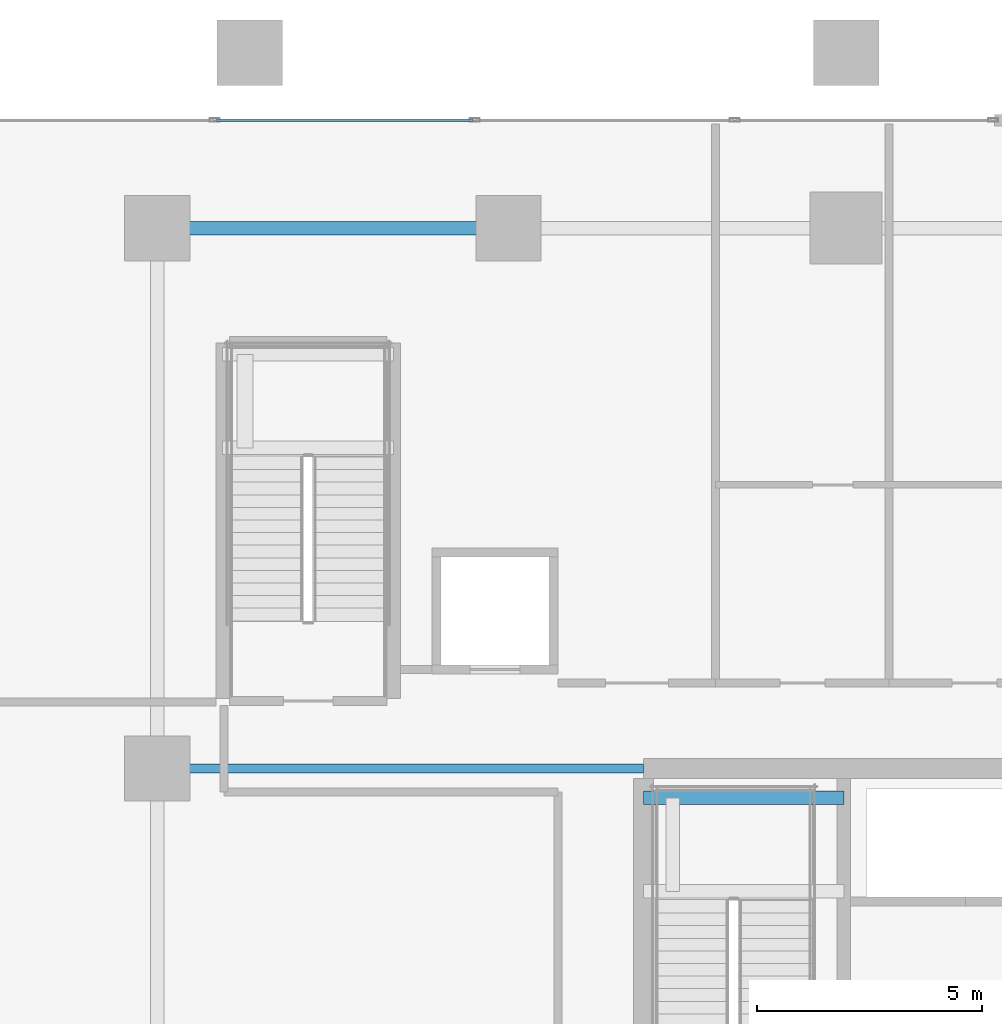
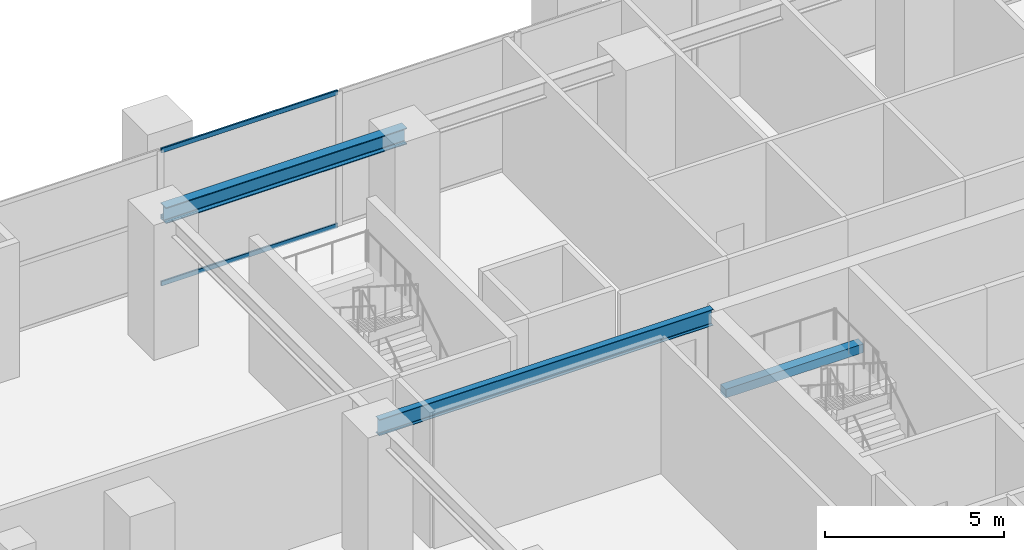
# One storey, part 7 of 20: 3 beams, 3 members, 1 element without a shape of its own.
"""IFC4 building model written with IfcOpenShell, lengths in metres."""

from ifc_helpers import new_model, si_unit, direction, frame, origin, origin_2d, place, context, subcontext, project, spatial, rectangle, hollow_rectangle, i_section, extrude, source, transform, mapped, material, layer, layer_set, material_profile, profile_set, type_object, element, aggregate, save


model = new_model("IFC4")

# Units and contexts
model_context = context("Model", 3, precision=1e-05, world=origin(), true_north=direction((0.0, 1.0)))
body_context = subcontext(model_context, "Body", "Model", "MODEL_VIEW")
ifc_project = project(units=[si_unit("LENGTHUNIT", "METRE"), si_unit("AREAUNIT", "SQUARE_METRE"), si_unit("VOLUMEUNIT", "CUBIC_METRE"), si_unit("PLANEANGLEUNIT", "RADIAN"), si_unit("MASSUNIT", "GRAM", prefix="KILO")], contexts=[model_context])

# Site, building, storey
site_placement = place(None, origin())
site = spatial("IfcSite", under=ifc_project, at=site_placement, CompositionType="ELEMENT")
building_placement = place(site_placement, origin())
building = spatial("IfcBuilding", under=site, at=building_placement, Name="Serunith Strait Residences", CompositionType="ELEMENT")
storey_placement = place(building_placement, frame((0.0, 0.0, 5.5)))
storey = spatial("IfcBuildingStorey", under=building, at=storey_placement, Name="L01", CompositionType="ELEMENT", Elevation=5.5)

# Beams
ifc_material_1 = material(Name="Steel S355J2", Category="steel")
ifc_material_profile_1 = material_profile(ifc_material_1, i_section(OverallWidth=0.300048828125, OverallDepth=0.550048828125, WebThickness=0.014892578125, FlangeThickness=0.029052734375, FilletRadius=0.027099609375, at=origin_2d()), Name="HEB 550")
ifc_profile_set_1 = profile_set([ifc_material_profile_1], Name="Steel S355J2")
beam_type_1 = type_object("IfcBeamType", Name="BM-HEB550", PredefinedType="BEAM", material=ifc_profile_set_1)
shared_shape_1 = source(origin(), body_context, "Body", "SweptSolid", [
    extrude(i_section(OverallWidth=0.300048828125, OverallDepth=0.550048828125, WebThickness=0.014892578125, FlangeThickness=0.029052734375, FilletRadius=0.027099609375, at=origin_2d()), origin(), (0.0, 0.0, 1.0), 7.7998046875),
])
beam_1_placement = place(storey_placement, frame((12.60009765625, 45.60009765625, 4.342041015625), z_axis=(1.0, 0.0, 0.0), x_axis=(0.0, 1.0, 0.0)))
element("IfcBeam", 1, at=beam_1_placement, inside=storey, type_object=beam_type_1, Name="BM-L01-06", PredefinedType="BEAM", context=body_context, shape_type="MappedRepresentation", body=[
    mapped(shared_shape_1, transform((0.0, 0.0, 0.0), scale=1.0)),
])
ifc_material_profile_2 = material_profile(ifc_material_1, i_section(OverallWidth=0.2099609375, OverallDepth=0.550048828125, WebThickness=0.010986328125, FlangeThickness=0.01708984375, FilletRadius=0.02392578125, at=origin_2d()), Name="IPE 550")
ifc_profile_set_2 = profile_set([ifc_material_profile_2], Name="Steel S355J2")
beam_type_2 = type_object("IfcBeamType", Name="BM-IPE550", PredefinedType="BEAM", material=ifc_profile_set_2)
shared_shape_2 = source(origin(), body_context, "Body", "SweptSolid", [
    extrude(i_section(OverallWidth=0.2099609375, OverallDepth=0.550048828125, WebThickness=0.010986328125, FlangeThickness=0.01708984375, FilletRadius=0.02392578125, at=origin_2d()), origin(), (0.0, 0.0, 1.0), 10.7998046875),
])
beam_2_placement = place(storey_placement, frame((12.60009765625, 33.60009765625, 4.342041015625), z_axis=(1.0, 0.0, 0.0), x_axis=(0.0, 1.0, 0.0)))
element("IfcBeam", 2, at=beam_2_placement, inside=storey, type_object=beam_type_2, Name="BM-L01-21", PredefinedType="BEAM", context=body_context, shape_type="MappedRepresentation", body=[
    mapped(shared_shape_2, transform((0.0, 0.0, 0.0), scale=1.0)),
])
ifc_material_2 = material(Name="Concrete C60/75", Category="concrete")
ifc_material_profile_3 = material_profile(ifc_material_2, rectangle(XDim=0.300048828125, YDim=0.300048828125, at=origin_2d()), Name="RC 300x300")
ifc_profile_set_3 = profile_set([ifc_material_profile_3], Name="Concrete C60/75")
beam_type_3 = type_object("IfcBeamType", Name="BM-LAND-300x300", PredefinedType="BEAM", material=ifc_profile_set_3)
shared_shape_3 = source(origin(), body_context, "Body", "SweptSolid", [
    extrude(rectangle(XDim=0.300048828125, YDim=0.300048828125, at=origin_2d()), origin(), (0.0, 0.0, 1.0), 4.4501953125),
])
beam_3_placement = place(storey_placement, frame((23.39990234375, 32.949951171875, 2.14990234375), z_axis=(1.0, 0.0, 0.0), x_axis=(0.0, 1.0, 0.0)))
element("IfcBeam", 3, at=beam_3_placement, inside=storey, type_object=beam_type_3, Name="L01 ST-1 Landing Support Beam 2", PredefinedType="BEAM", context=body_context, shape_type="MappedRepresentation", body=[
    mapped(shared_shape_3, transform((0.0, 0.0, 0.0), scale=1.0)),
])

# Curtain wall, members
ifc_material_3 = material(Name="Pale-Champagne Anodised Aluminium", Category="aluminium")
ifc_layer = layer(ifc_material_3, 0.199951171875, Name="Pale-Champagne Anodised Aluminium")
ifc_layer_set = layer_set([ifc_layer], Name="Pale-Champagne Anodised Aluminium")
curtain_wall_type = type_object("IfcCurtainWallType", Name="CW-SYS6", PredefinedType="NOTDEFINED", material=ifc_layer_set)
curtain_wall_placement = place(storey_placement, origin())
curtain_wall = element("IfcCurtainWall", 4, at=curtain_wall_placement, inside=storey, type_object=curtain_wall_type, Name="L01 Podium Galleria Curtain Wall 9B", PredefinedType="NOTDEFINED")
ifc_material_profile_4 = material_profile(ifc_material_3, hollow_rectangle(XDim=0.06005859375, YDim=0.159912109375, WallThickness=0.00341796875, InnerFilletRadius=0.00537109375, OuterFilletRadius=0.0087890625, at=origin_2d()), Name="ALU 160x60x3.5")
ifc_profile_set_4 = profile_set([ifc_material_profile_4], Name="Pale-Champagne Anodised Aluminium")
member_type = type_object("IfcMemberType", Name="CW-SYS6-TRAN", PredefinedType="USERDEFINED", material=ifc_profile_set_4)
shared_shape_4 = source(origin(), body_context, "Body", "SweptSolid", [
    extrude(hollow_rectangle(XDim=0.06005859375, YDim=0.159912109375, WallThickness=0.00341796875, InnerFilletRadius=0.00537109375, OuterFilletRadius=0.0087890625, at=origin_2d()), origin(), (0.0, 0.0, 1.0), 5.699951171875),
])
member_1_placement = place(storey_placement, frame((19.612548828125, 48.0, 0.030029296875), z_axis=(-1.0, 0.0, 0.0), x_axis=(0.0, -1.0, 0.0)))
member_1 = element("IfcMember", 5, at=member_1_placement, type_object=member_type, Name="CW-6 transom 3.1", ObjectType="TRANSOM", PredefinedType="USERDEFINED", context=body_context, shape_type="MappedRepresentation", body=[
    mapped(shared_shape_4, transform((0.0, 0.0, 0.0), scale=1.0)),
])
member_2_placement = place(storey_placement, frame((19.612548828125, 48.0, 2.302490234375), z_axis=(-1.0, 0.0, 0.0), x_axis=(0.0, -1.0, 0.0)))
member_2 = element("IfcMember", 6, at=member_2_placement, type_object=member_type, Name="CW-6 transom 3.2", ObjectType="TRANSOM", PredefinedType="USERDEFINED", context=body_context, shape_type="MappedRepresentation", body=[
    mapped(shared_shape_4, transform((0.0, 0.0, 0.0), scale=1.0)),
])
member_3_placement = place(storey_placement, frame((19.612548828125, 48.0, 4.574951171875), z_axis=(-1.0, 0.0, 0.0), x_axis=(0.0, -1.0, 0.0)))
member_3 = element("IfcMember", 7, at=member_3_placement, type_object=member_type, Name="CW-6 transom 3.3", ObjectType="TRANSOM", PredefinedType="USERDEFINED", context=body_context, shape_type="MappedRepresentation", body=[
    mapped(shared_shape_4, transform((0.0, 0.0, 0.0), scale=1.0)),
])
aggregate(curtain_wall, [member_1, member_2, member_3])

save(model, "model.ifc")
